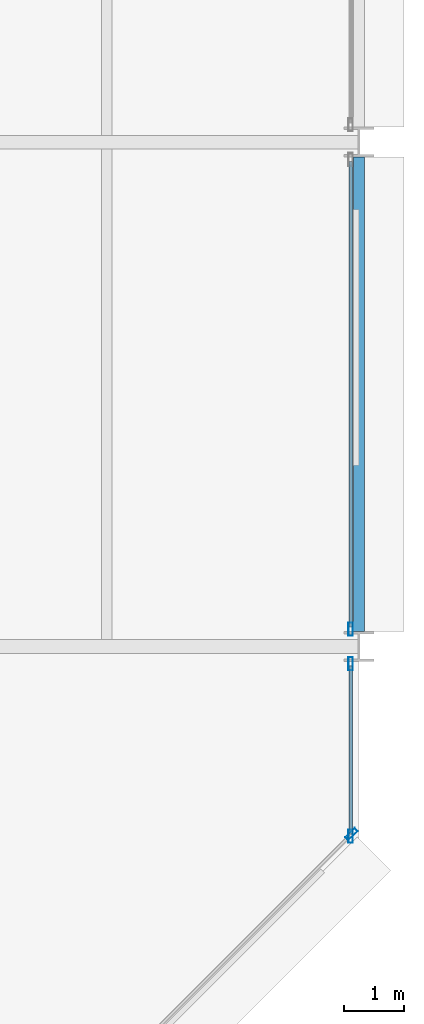
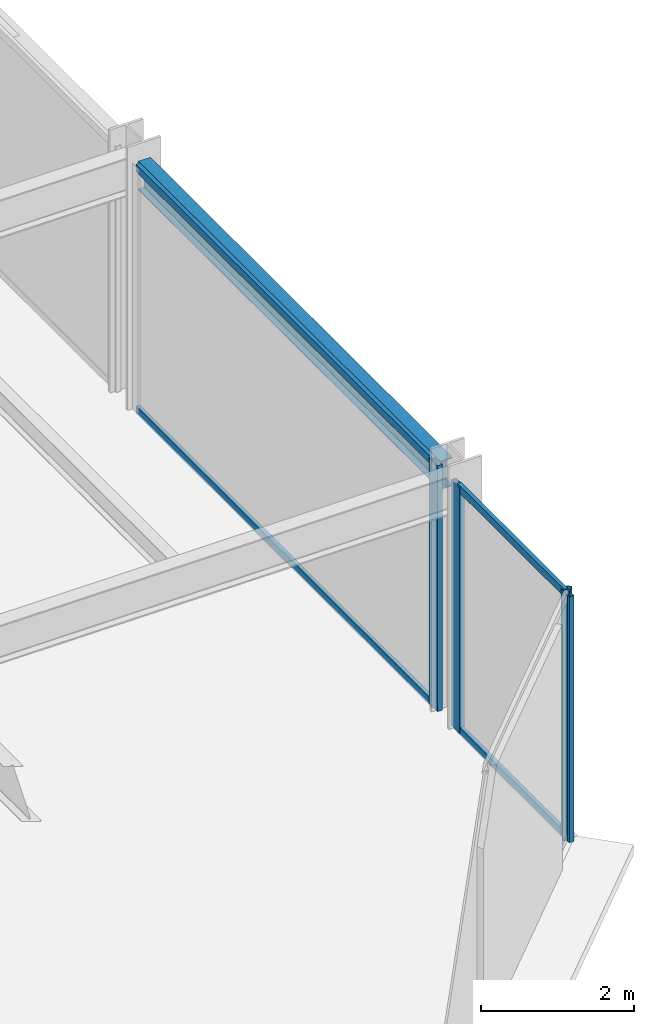
# One storey, part 11 of 25: 8 members, 1 beam, 3 elements without a shape of their own.
"""IFC4 building model written with IfcOpenShell, lengths in metres."""

from ifc_helpers import new_model, si_unit, direction, frame, origin, origin_2d, place, context, subcontext, project, spatial, hollow_rectangle, i_section, extrude, material, layer, layer_set, material_profile, profile_set, type_object, element, aggregate, save


model = new_model("IFC4")

# Units and contexts
model_context = context("Model", 3, precision=1e-05, world=origin(), true_north=direction((0.0, 1.0)))
body_context = subcontext(model_context, "Body", "Model", "MODEL_VIEW")
ifc_project = project(units=[si_unit("LENGTHUNIT", "METRE"), si_unit("AREAUNIT", "SQUARE_METRE"), si_unit("VOLUMEUNIT", "CUBIC_METRE"), si_unit("PLANEANGLEUNIT", "RADIAN"), si_unit("MASSUNIT", "GRAM", prefix="KILO")], contexts=[model_context])

# Site, building, storey
site_placement = place(None, origin())
site = spatial("IfcSite", under=ifc_project, at=site_placement, CompositionType="ELEMENT")
building_placement = place(site_placement, origin())
building = spatial("IfcBuilding", under=site, at=building_placement, Name="Nerrivon Quay Data Exchange", CompositionType="ELEMENT")
storey_placement = place(building_placement, frame((0.0, 0.0, 54.199951171875)))
storey = spatial("IfcBuildingStorey", under=building, at=storey_placement, Name="L12", CompositionType="ELEMENT", Elevation=54.199951171875)

# Beam
ifc_material_1 = material(Name="Steel Grade 350", Category="steel")
ifc_material_profile_1 = material_profile(ifc_material_1, i_section(OverallWidth=0.18994140625, OverallDepth=0.4541015625, WebThickness=0.008544921875, FlangeThickness=0.0126953125, FilletRadius=0.011474609375, at=origin_2d()), Name="460UB67.1")
ifc_profile_set_1 = profile_set([ifc_material_profile_1], Name="Steel Grade 350")
beam_type = type_object("IfcBeamType", Name="BM-SP1-460UB67", PredefinedType="SPANDREL", material=ifc_profile_set_1)
beam_placement = place(storey_placement, frame((50.39990234375, 8.64990234375, 3.697998046875), z_axis=(0.0, 1.0, 0.0), x_axis=(-1.0, 0.0, 0.0)))
element("IfcBeam", 1, at=beam_placement, inside=storey, type_object=beam_type, Name="L12 NS Girder X=50.4 (8.4..16.8)", PredefinedType="SPANDREL", context=body_context, shape_type="SweptSolid", body=[
    extrude(i_section(OverallWidth=0.18994140625, OverallDepth=0.4541015625, WebThickness=0.008544921875, FlangeThickness=0.0126953125, FilletRadius=0.011474609375, at=origin_2d()), origin(), (0.0, 0.0, 1.0), 7.900146484375),
])

# Curtain wall, member
ifc_material_2 = material(Name="Anodised aluminium 6063-T6", Category="aluminium")
ifc_layer = layer(ifc_material_2, 0.219970703125)
ifc_layer_set = layer_set([ifc_layer], Name="Anodised aluminium 6063-T6")
curtain_wall_type = type_object("IfcCurtainWallType", Name="CW-SYS-01", PredefinedType="NOTDEFINED", material=ifc_layer_set)
curtain_wall_1_placement = place(storey_placement, origin())
curtain_wall_1 = element("IfcCurtainWall", 2, at=curtain_wall_1_placement, inside=storey, type_object=curtain_wall_type, Name="L12 Unitised Curtain Wall 1", PredefinedType="NOTDEFINED")
ifc_material_profile_2 = material_profile(ifc_material_2, hollow_rectangle(XDim=0.074951171875, YDim=0.219970703125, WallThickness=0.00390625, at=origin_2d()), Name="ALU-MULL-220x75")
ifc_profile_set_2 = profile_set([ifc_material_profile_2], Name="Anodised aluminium 6063-T6")
member_type_1 = type_object("IfcMemberType", Name="CWM-220x75", PredefinedType="MULLION", material=ifc_profile_set_2)
member_1_placement = place(storey_placement, frame((50.2744140625, 5.2724609375, 0.0), z_axis=(0.0, 0.0, 1.0), x_axis=(0.707106781187, -0.707106781187, 0.0)))
member_1 = element("IfcMember", 3, at=member_1_placement, type_object=member_type_1, Name="CW01 mullion 1", PredefinedType="MULLION", context=body_context, shape_type="SweptSolid", body=[
    extrude(hollow_rectangle(XDim=0.074951171875, YDim=0.219970703125, WallThickness=0.00390625, at=origin_2d()), origin(), (0.0, 0.0, 1.0), 3.925048828125),
])
aggregate(curtain_wall_1, [member_1])

curtain_wall_2_placement = place(storey_placement, origin())
curtain_wall_2 = element("IfcCurtainWall", 4, at=curtain_wall_2_placement, inside=storey, type_object=curtain_wall_type, Name="L12 Unitised Curtain Wall 32", PredefinedType="NOTDEFINED")
member_2_placement = place(storey_placement, frame((50.260009765625, 8.6875, 0.0), z_axis=(0.0, 0.0, 1.0), x_axis=(1.0, 0.0, 0.0)))
member_2 = element("IfcMember", 5, at=member_2_placement, type_object=member_type_1, Name="CW01 mullion 2", PredefinedType="MULLION", context=body_context, shape_type="SweptSolid", body=[
    extrude(hollow_rectangle(XDim=0.074951171875, YDim=0.219970703125, WallThickness=0.00390625, at=origin_2d()), origin(), (0.0, 0.0, 1.0), 3.925048828125),
])

# Curtain wall, members
curtain_wall_3_placement = place(storey_placement, origin())
curtain_wall_3 = element("IfcCurtainWall", 6, at=curtain_wall_3_placement, inside=storey, type_object=curtain_wall_type, Name="L12 Unitised Curtain Wall 33", PredefinedType="NOTDEFINED")
member_3_placement = place(storey_placement, frame((50.260009765625, 8.112548828125, 0.0), z_axis=(0.0, 0.0, 1.0), x_axis=(1.0, 0.0, 0.0)))
member_3 = element("IfcMember", 7, at=member_3_placement, type_object=member_type_1, Name="CW01 mullion 1", PredefinedType="MULLION", context=body_context, shape_type="SweptSolid", body=[
    extrude(hollow_rectangle(XDim=0.074951171875, YDim=0.219970703125, WallThickness=0.00390625, at=origin_2d()), origin(), (0.0, 0.0, 1.0), 3.925048828125),
])
member_4_placement = place(storey_placement, frame((50.260009765625, 5.237548828125, 0.0), z_axis=(0.0, 0.0, 1.0), x_axis=(1.0, 0.0, 0.0)))
member_4 = element("IfcMember", 8, at=member_4_placement, type_object=member_type_1, Name="CW01 mullion 2", PredefinedType="MULLION", context=body_context, shape_type="SweptSolid", body=[
    extrude(hollow_rectangle(XDim=0.074951171875, YDim=0.219970703125, WallThickness=0.00390625, at=origin_2d()), origin(), (0.0, 0.0, 1.0), 3.925048828125),
])

# Member
ifc_material_profile_3 = material_profile(ifc_material_2, hollow_rectangle(XDim=0.06005859375, YDim=0.1201171875, WallThickness=0.003173828125, at=origin_2d()), Name="ALU-TRAN-120x60")
ifc_profile_set_3 = profile_set([ifc_material_profile_3], Name="Anodised aluminium 6063-T6")
member_type_2 = type_object("IfcMemberType", Name="CWT-120x60", PredefinedType="USERDEFINED", material=ifc_profile_set_3)
member_5_placement = place(storey_placement, frame((50.260009765625, 16.47509765625, 0.032470703125), z_axis=(0.0, -1.0, 0.0), x_axis=(1.0, 0.0, 0.0)))
member_5 = element("IfcMember", 9, at=member_5_placement, type_object=member_type_2, Name="CW01 transom 1.1", ObjectType="TRANSOM", PredefinedType="USERDEFINED", context=body_context, shape_type="SweptSolid", body=[
    extrude(hollow_rectangle(XDim=0.06005859375, YDim=0.1201171875, WallThickness=0.003173828125, at=origin_2d()), origin(), (0.0, 0.0, 1.0), 7.75),
])

member_6_placement = place(storey_placement, frame((50.260009765625, 16.47509765625, 3.892578125), z_axis=(0.0, -1.0, 0.0), x_axis=(1.0, 0.0, 0.0)))
member_6 = element("IfcMember", 10, at=member_6_placement, type_object=member_type_2, Name="CW01 transom 1.2", ObjectType="TRANSOM", PredefinedType="USERDEFINED", context=body_context, shape_type="SweptSolid", body=[
    extrude(hollow_rectangle(XDim=0.06005859375, YDim=0.1201171875, WallThickness=0.003173828125, at=origin_2d()), origin(), (0.0, 0.0, 1.0), 7.75),
])

aggregate(curtain_wall_2, [member_2, member_5, member_6])

member_7_placement = place(storey_placement, frame((50.260009765625, 8.074951171875, 0.032470703125), z_axis=(0.0, -1.0, 0.0), x_axis=(1.0, 0.0, 0.0)))
member_7 = element("IfcMember", 11, at=member_7_placement, type_object=member_type_2, Name="CW01 transom 1.1", ObjectType="TRANSOM", PredefinedType="USERDEFINED", context=body_context, shape_type="SweptSolid", body=[
    extrude(hollow_rectangle(XDim=0.06005859375, YDim=0.1201171875, WallThickness=0.003173828125, at=origin_2d()), origin(), (0.0, 0.0, 1.0), 2.800048828125),
])

member_8_placement = place(storey_placement, frame((50.260009765625, 8.074951171875, 3.892578125), z_axis=(0.0, -1.0, 0.0), x_axis=(1.0, 0.0, 0.0)))
member_8 = element("IfcMember", 12, at=member_8_placement, type_object=member_type_2, Name="CW01 transom 1.2", ObjectType="TRANSOM", PredefinedType="USERDEFINED", context=body_context, shape_type="SweptSolid", body=[
    extrude(hollow_rectangle(XDim=0.06005859375, YDim=0.1201171875, WallThickness=0.003173828125, at=origin_2d()), origin(), (0.0, 0.0, 1.0), 2.800048828125),
])

aggregate(curtain_wall_3, [member_3, member_4, member_7, member_8])

save(model, "model.ifc")
